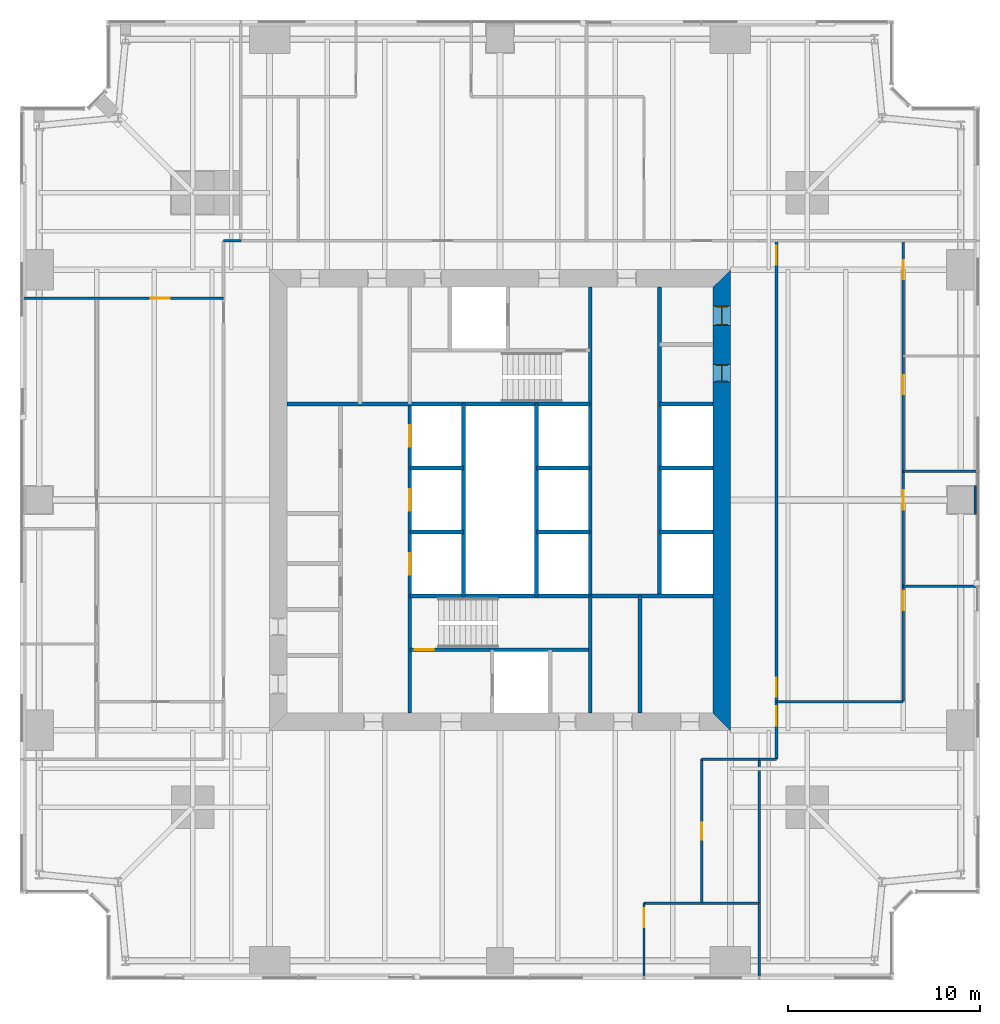
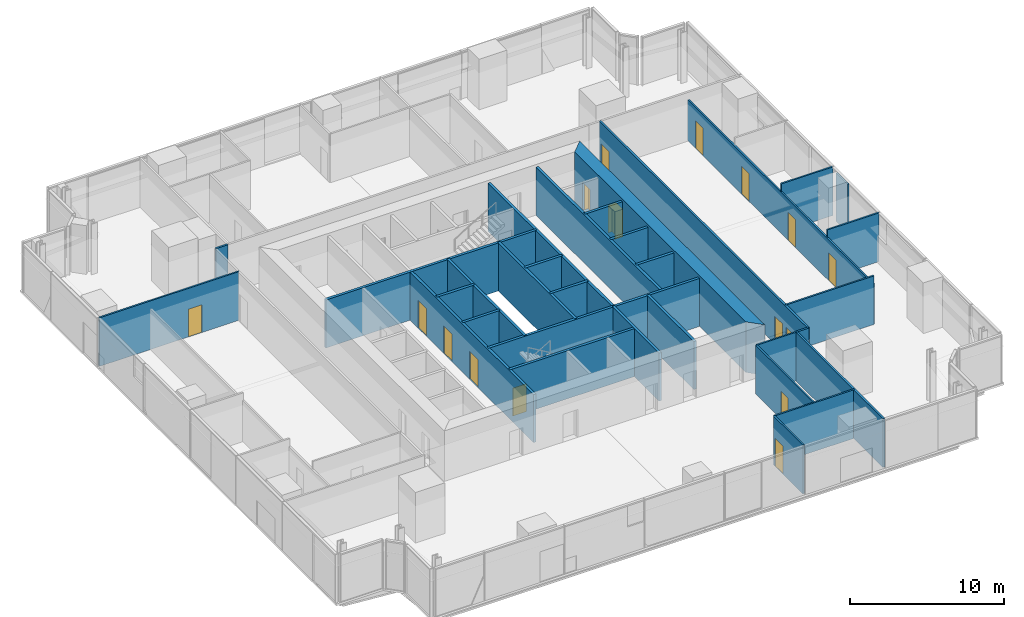
# One storey, part 10 of 14: 32 walls, 16 doors, 16 openings.
"""IFC4 building model written with IfcOpenShell, lengths in metres."""

from ifc_helpers import new_model, si_unit, direction, frame, frame_2d, origin, place, context, subcontext, project, spatial, polyline, rectangle, outline, extrude, material, layer, layer_set, type_object, element, fill, save


model = new_model("IFC4")

# Units and contexts
model_context = context("Model", 3, precision=1e-05, world=origin(), true_north=direction((0.0, 1.0)))
body_context = subcontext(model_context, "Body", "Model", "MODEL_VIEW")
ifc_project = project(units=[si_unit("LENGTHUNIT", "METRE"), si_unit("AREAUNIT", "SQUARE_METRE"), si_unit("VOLUMEUNIT", "CUBIC_METRE"), si_unit("PLANEANGLEUNIT", "RADIAN"), si_unit("MASSUNIT", "GRAM", prefix="KILO")], contexts=[model_context])

# Site, building, storey
site_placement = place(None, origin())
site = spatial("IfcSite", under=ifc_project, at=site_placement, CompositionType="ELEMENT")
building_placement = place(site_placement, origin())
building = spatial("IfcBuilding", under=site, at=building_placement, Name="Fenwick Lantern Interchange", CompositionType="ELEMENT")
storey_placement = place(building_placement, frame((0.0, 0.0, 122.39990234375)))
storey = spatial("IfcBuildingStorey", under=building, at=storey_placement, Name="L28", CompositionType="ELEMENT", Elevation=122.39990234375)

# Walls
ifc_material_1 = material(Name="Fire-rated gypsum board encasement on steel studs, 2 hour", Category="steel")
ifc_layer_1 = layer(ifc_material_1, 1.5)
ifc_layer_set_1 = layer_set([ifc_layer_1], Name="COLUMN PIER 1500")
wall_type_1 = type_object("IfcWallType", Name="COLUMN PIER 1500", PredefinedType="PARTITIONING", material=ifc_layer_set_1)
wall_1_placement = place(storey_placement, frame((49.800048828125, 25.0, 0.0), z_axis=(0.0, 0.0, 1.0), x_axis=(-1.0, 0.0, 0.0)))
element("IfcWall", 1, at=wall_1_placement, inside=storey, type_object=wall_type_1, Name="L28/W/PIER/CE3", PredefinedType="PARTITIONING", context=body_context, shape_type="SweptSolid", body=[
    extrude(rectangle(XDim=0.10009765625, YDim=1.5, at=frame_2d((0.050048828125, 0.0))), origin(), (0.0, 0.0, 1.0), 3.85009765625),
])
ifc_material_2 = material(Name="Concrete masonry ASTM C90 Grade N", Category="masonry")
ifc_layer_2 = layer(ifc_material_2, 0.199951171875)
ifc_layer_set_2 = layer_set([ifc_layer_2], Name="Concrete masonry ASTM C90 Grade N")
wall_type_2 = type_object("IfcWallType", Name="CORE PARTITION 200", PredefinedType="PARTITIONING", material=ifc_layer_set_2)
for number, where, z_axis, x_axis, name in (
    (2, (20.300048828125, 23.333251953125, 0.0), (0.0, 0.0, 1.0), (1.0, 0.0, 0.0), "L28/W/CORES/e1"),
    (3, (20.300048828125, 26.666748046875, 0.0), (0.0, 0.0, 1.0), (1.0, 0.0, 0.0), "L28/W/CORES/e2"),
):
    element("IfcWall", number, at=place(storey_placement, frame(where, z_axis=z_axis, x_axis=x_axis)), inside=storey, type_object=wall_type_2, Name=name, PredefinedType="PARTITIONING", context=body_context, shape_type="SweptSolid", body=[
        extrude(rectangle(XDim=2.800048828125, YDim=0.199951171875, at=frame_2d((1.39990234375, 0.0))), origin(), (0.0, 0.0, 1.0), 3.800048828125),
    ])
wall_2_placement = place(storey_placement, frame((23.10009765625, 20.0, 0.0), z_axis=(0.0, 0.0, 1.0), x_axis=(0.0, 1.0, 0.0)))
element("IfcWall", 4, at=wall_2_placement, inside=storey, type_object=wall_type_2, Name="L28/W/CORES/e3", PredefinedType="PARTITIONING", context=body_context, shape_type="SweptSolid", body=[
    extrude(rectangle(XDim=10.0, YDim=0.199951171875, at=frame_2d((5.0, 0.0))), origin(), (0.0, 0.0, 1.0), 3.800048828125),
])
wall_3_placement = place(storey_placement, frame((32.300048828125, 13.89990234375, 0.0), z_axis=(0.0, 0.0, 1.0), x_axis=(0.0, 1.0, 0.0)))
element("IfcWall", 5, at=wall_3_placement, inside=storey, type_object=wall_type_2, Name="L28/W/CORES/i2", PredefinedType="PARTITIONING", context=body_context, shape_type="SweptSolid", body=[
    extrude(rectangle(XDim=6.10009765625, YDim=0.199951171875, at=frame_2d((3.050048828125, 0.0))), origin(), (0.0, 0.0, 1.0), 3.800048828125),
])
wall_4_placement = place(storey_placement, frame((33.300048828125, 36.10009765625, 0.0), z_axis=(0.0, 0.0, 1.0), x_axis=(0.0, -1.0, 0.0)))
element("IfcWall", 6, at=wall_4_placement, inside=storey, type_object=wall_type_2, Name="L28/W/COREN/a", PredefinedType="PARTITIONING", context=body_context, shape_type="SweptSolid", body=[
    extrude(rectangle(XDim=16.10009765625, YDim=0.199951171875, at=frame_2d((8.050048828125, 0.0))), origin(), (0.0, 0.0, 1.0), 3.800048828125),
])
for number, where, z_axis, x_axis, name in (
    (7, (36.10009765625, 30.0, 0.0), (0.0, 0.0, 1.0), (-1.0, 0.0, 0.0), "L28/W/COREN/c2"),
    (8, (36.10009765625, 26.666748046875, 0.0), (0.0, 0.0, 1.0), (-1.0, 0.0, 0.0), "L28/W/COREN/d1"),
    (9, (36.10009765625, 23.333251953125, 0.0), (0.0, 0.0, 1.0), (-1.0, 0.0, 0.0), "L28/W/COREN/d2"),
    (10, (29.699951171875, 26.666748046875, 0.0), (0.0, 0.0, 1.0), (-1.0, 0.0, 0.0), "L28/W/COREN/e1"),
    (11, (29.699951171875, 23.333251953125, 0.0), (0.0, 0.0, 1.0), (-1.0, 0.0, 0.0), "L28/W/COREN/e2"),
):
    element("IfcWall", number, at=place(storey_placement, frame(where, z_axis=z_axis, x_axis=x_axis)), inside=storey, type_object=wall_type_2, Name=name, PredefinedType="PARTITIONING", context=body_context, shape_type="SweptSolid", body=[
        extrude(rectangle(XDim=2.800048828125, YDim=0.199951171875, at=frame_2d((1.39990234375, 0.0))), origin(), (0.0, 0.0, 1.0), 3.800048828125),
    ])
wall_5_placement = place(storey_placement, frame((26.89990234375, 30.0, 0.0), z_axis=(0.0, 0.0, 1.0), x_axis=(0.0, -1.0, 0.0)))
element("IfcWall", 12, at=wall_5_placement, inside=storey, type_object=wall_type_2, Name="L28/W/COREN/e3", PredefinedType="PARTITIONING", context=body_context, shape_type="SweptSolid", body=[
    extrude(rectangle(XDim=10.0, YDim=0.199951171875, at=frame_2d((5.0, 0.0))), origin(), (0.0, 0.0, 1.0), 3.800048828125),
])

# Wall, openings, doors
ifc_material_3 = material(Name="Concrete f'c 70 MPa", Category="concrete")
ifc_layer_3 = layer(ifc_material_3, 0.89990234375)
ifc_layer_set_3 = layer_set([ifc_layer_3], Name="CORE WALL 900")
wall_type_3 = type_object("IfcWallType", Name="CORE WALL 900", PredefinedType="SHEAR", material=ifc_layer_set_3)
wall_6_placement = place(storey_placement, frame((36.550048828125, 13.89990234375, 0.0), z_axis=(0.0, 0.0, 1.0), x_axis=(0.0, 1.0, 0.0)))
wall_6 = element("IfcWall", 13, at=wall_6_placement, inside=storey, type_object=wall_type_3, Name="L28/CORE/E", PredefinedType="SHEAR", context=body_context, shape_type="SweptSolid", body=[
    extrude(outline(polyline([(-0.89990234375, -0.449951171875), (23.10009765625, -0.449951171875), (22.199951171875, 0.449951171875), (0.0, 0.449951171875), (-0.89990234375, -0.449951171875)])), origin(), (0.0, 0.0, 1.0), 4.0),
])
opening_1_placement = place(wall_6_placement, frame((20.199951171875, 0.0, 0.0)))
opening_1 = element("IfcOpeningElement", 14, at=opening_1_placement, cuts=wall_6, Name="Opening L28-D018", PredefinedType="OPENING", context=body_context, shape_type="SweptSolid", body=[
    extrude(rectangle(XDim=1.0, YDim=2.199951171875, at=frame_2d((0.5, 1.10009765625))), frame((0.0, 0.4599609375, 0.0), z_axis=(0.0, -1.0, 0.0), x_axis=(1.0, 0.0, 0.0)), (0.0, 0.0, 1.0), 0.919921875),
])
opening_2_placement = place(wall_6_placement, frame((17.25, 0.0, 0.0)))
opening_2 = element("IfcOpeningElement", 15, at=opening_2_placement, cuts=wall_6, Name="Opening L28-D019", PredefinedType="OPENING", context=body_context, shape_type="SweptSolid", body=[
    extrude(rectangle(XDim=0.89990234375, YDim=2.199951171875, at=frame_2d((0.449951171875, 1.10009765625))), frame((0.0, 0.4599609375, 0.0), z_axis=(0.0, -1.0, 0.0), x_axis=(1.0, 0.0, 0.0)), (0.0, 0.0, 1.0), 0.919921875),
])
ifc_material_4 = material(Name="Steel door and frame", Category="steel")
door_type_1 = type_object("IfcDoorType", Name="SERVICE DOOR 900 X 2200", OperationType="SINGLE_SWING_LEFT", PredefinedType="DOOR", material=ifc_material_4)
door_1_placement = place(opening_2_placement, origin())
door_1 = element("IfcDoor", 16, at=door_1_placement, inside=storey, type_object=door_type_1, Name="Service door", OperationType="SINGLE_SWING_RIGHT", OverallHeight=2.199951171875, OverallWidth=0.89990234375, PredefinedType="DOOR", context=body_context, shape_type="SweptSolid", body=[
    extrude(rectangle(XDim=0.89990234375, YDim=2.199951171875, at=frame_2d((0.449951171875, 1.10009765625))), frame((0.0, 0.02490234375, 0.0), z_axis=(0.0, -1.0, 0.0), x_axis=(1.0, 0.0, 0.0)), (0.0, 0.0, 1.0), 0.050048828125),
    extrude(outline(polyline([(0.0, 0.0), (0.0400390625, 0.0), (0.0400390625, 2.159912109375), (0.85986328125, 2.159912109375), (0.85986328125, 0.0), (0.89990234375, 0.0), (0.89990234375, 2.199951171875), (0.0, 2.199951171875), (0.0, 0.0)])), frame((0.0, 0.300048828125, 0.0), z_axis=(0.0, -1.0, 0.0), x_axis=(1.0, 0.0, 0.0)), (0.0, 0.0, 1.0), 0.60009765625),
])
fill(opening_2, door_1)
ifc_material_5 = material(Name="Hardwood door and steel frame", Category="steel")
door_type_2 = type_object("IfcDoorType", Name="WC DOOR 1000 X 2200", OperationType="SINGLE_SWING_LEFT", PredefinedType="DOOR", material=ifc_material_5)
door_2_placement = place(opening_1_placement, origin())
door_2 = element("IfcDoor", 17, at=door_2_placement, inside=storey, type_object=door_type_2, Name="Wc door", OperationType="SINGLE_SWING_LEFT", OverallHeight=2.199951171875, OverallWidth=1.0, PredefinedType="DOOR", context=body_context, shape_type="SweptSolid", body=[
    extrude(rectangle(XDim=1.0, YDim=2.199951171875, at=frame_2d((0.5, 1.10009765625))), frame((0.0, 0.02490234375, 0.0), z_axis=(0.0, -1.0, 0.0), x_axis=(1.0, 0.0, 0.0)), (0.0, 0.0, 1.0), 0.050048828125),
    extrude(outline(polyline([(0.0, 0.0), (0.0400390625, 0.0), (0.0400390625, 2.159912109375), (0.9599609375, 2.159912109375), (0.9599609375, 0.0), (1.0, 0.0), (1.0, 2.199951171875), (0.0, 2.199951171875), (0.0, 0.0)])), frame((0.0, 0.300048828125, 0.0), z_axis=(0.0, -1.0, 0.0), x_axis=(1.0, 0.0, 0.0)), (0.0, 0.0, 1.0), 0.60009765625),
])
fill(opening_1, door_2)

# Wall
ifc_material_6 = material(Name="Gypsum board on steel studs, 1 hour", Category="steel")
ifc_layer_4 = layer(ifc_material_6, 0.14990234375)
ifc_layer_set_4 = layer_set([ifc_layer_4], Name="CORRIDOR WALL 150")
wall_type_4 = type_object("IfcWallType", Name="CORRIDOR WALL 150", PredefinedType="PARTITIONING", material=ifc_layer_set_4)
wall_7_placement = place(storey_placement, frame((38.5, 11.5, 0.0), z_axis=(0.0, 0.0, 1.0), x_axis=(1.0, 0.0, 0.0)))
element("IfcWall", 18, at=wall_7_placement, inside=storey, type_object=wall_type_4, Name="L28/W/OFF/E/CWJ", PredefinedType="PARTITIONING", context=body_context, shape_type="SweptSolid", body=[
    extrude(rectangle(XDim=0.89990234375, YDim=0.14990234375, at=frame_2d((0.449951171875, 0.0))), origin(), (0.0, 0.0, 1.0), 3.85009765625),
])

# Wall, openings, doors
wall_8_placement = place(storey_placement, frame((39.39990234375, 11.5, 0.0), z_axis=(0.0, 0.0, 1.0), x_axis=(0.0, 1.0, 0.0)))
wall_8 = element("IfcWall", 19, at=wall_8_placement, inside=storey, type_object=wall_type_4, Name="L28/W/OFF/E/CW2", PredefinedType="PARTITIONING", context=body_context, shape_type="SweptSolid", body=[
    extrude(rectangle(XDim=27.0, YDim=0.14990234375, at=frame_2d((13.5, 0.0))), origin(), (0.0, 0.0, 1.0), 3.85009765625),
])
opening_3_placement = place(wall_8_placement, frame((3.25, 0.0, 0.0)))
opening_3 = element("IfcOpeningElement", 20, at=opening_3_placement, cuts=wall_8, Name="Opening L28-D022", PredefinedType="OPENING", context=body_context, shape_type="SweptSolid", body=[
    extrude(rectangle(XDim=1.0, YDim=2.199951171875, at=frame_2d((0.5, 1.10009765625))), frame((0.0, 0.0849609375, 0.0), z_axis=(0.0, -1.0, 0.0), x_axis=(1.0, 0.0, 0.0)), (0.0, 0.0, 1.0), 0.169921875),
])
opening_4_placement = place(wall_8_placement, frame((25.75, 0.0, 0.0)))
opening_4 = element("IfcOpeningElement", 21, at=opening_4_placement, cuts=wall_8, Name="Opening L28-D023", PredefinedType="OPENING", context=body_context, shape_type="SweptSolid", body=[
    extrude(rectangle(XDim=1.0, YDim=2.199951171875, at=frame_2d((0.5, 1.10009765625))), frame((0.0, 0.0849609375, 0.0), z_axis=(0.0, -1.0, 0.0), x_axis=(1.0, 0.0, 0.0)), (0.0, 0.0, 1.0), 0.169921875),
])
opening_5_placement = place(wall_8_placement, frame((1.75, 0.0, 0.0)))
opening_5 = element("IfcOpeningElement", 22, at=opening_5_placement, cuts=wall_8, Name="Opening L28-D025", PredefinedType="OPENING", context=body_context, shape_type="SweptSolid", body=[
    extrude(rectangle(XDim=1.0, YDim=2.199951171875, at=frame_2d((0.5, 1.10009765625))), frame((0.0, 0.0849609375, 0.0), z_axis=(0.0, -1.0, 0.0), x_axis=(1.0, 0.0, 0.0)), (0.0, 0.0, 1.0), 0.169921875),
])
door_type_3 = type_object("IfcDoorType", Name="MEETING ROOM DOOR 1000 X 2200", OperationType="SINGLE_SWING_LEFT", PredefinedType="DOOR", material=ifc_material_5)
door_3_placement = place(opening_5_placement, origin())
door_3 = element("IfcDoor", 23, at=door_3_placement, inside=storey, type_object=door_type_3, Name="Meeting room door", OperationType="SINGLE_SWING_LEFT", OverallHeight=2.199951171875, OverallWidth=1.0, PredefinedType="DOOR", context=body_context, shape_type="SweptSolid", body=[
    extrude(rectangle(XDim=1.0, YDim=2.199951171875, at=frame_2d((0.5, 1.10009765625))), frame((0.0, 0.02490234375, 0.0), z_axis=(0.0, -1.0, 0.0), x_axis=(1.0, 0.0, 0.0)), (0.0, 0.0, 1.0), 0.050048828125),
])
fill(opening_5, door_3)
door_type_4 = type_object("IfcDoorType", Name="SUITE ENTRANCE DOOR 1000 X 2200", OperationType="SINGLE_SWING_LEFT", PredefinedType="DOOR", material=ifc_material_4)
door_4_placement = place(opening_3_placement, origin())
door_4 = element("IfcDoor", 24, at=door_4_placement, inside=storey, type_object=door_type_4, Name="Suite entrance door", OperationType="SINGLE_SWING_LEFT", OverallHeight=2.199951171875, OverallWidth=1.0, PredefinedType="DOOR", context=body_context, shape_type="SweptSolid", body=[
    extrude(rectangle(XDim=1.0, YDim=2.199951171875, at=frame_2d((0.5, 1.10009765625))), frame((0.0, 0.02490234375, 0.0), z_axis=(0.0, -1.0, 0.0), x_axis=(1.0, 0.0, 0.0)), (0.0, 0.0, 1.0), 0.050048828125),
])
fill(opening_3, door_4)
door_5_placement = place(opening_4_placement, origin())
door_5 = element("IfcDoor", 25, at=door_5_placement, inside=storey, type_object=door_type_4, Name="Suite entrance door", OperationType="SINGLE_SWING_RIGHT", OverallHeight=2.199951171875, OverallWidth=1.0, PredefinedType="DOOR", context=body_context, shape_type="SweptSolid", body=[
    extrude(rectangle(XDim=1.0, YDim=2.199951171875, at=frame_2d((0.5, 1.10009765625))), frame((0.0, 0.02490234375, 0.0), z_axis=(0.0, -1.0, 0.0), x_axis=(1.0, 0.0, 0.0)), (0.0, 0.0, 1.0), 0.050048828125),
])
fill(opening_4, door_5)

# Wall
wall_9_placement = place(storey_placement, frame((11.5, 38.5, 0.0), z_axis=(0.0, 0.0, 1.0), x_axis=(-1.0, 0.0, 0.0)))
element("IfcWall", 26, at=wall_9_placement, inside=storey, type_object=wall_type_4, Name="L28/W/OFF/W/CWJ", PredefinedType="PARTITIONING", context=body_context, shape_type="SweptSolid", body=[
    extrude(rectangle(XDim=0.89990234375, YDim=0.14990234375, at=frame_2d((0.449951171875, 0.0))), origin(), (0.0, 0.0, 1.0), 3.85009765625),
])

# Wall, opening, door
ifc_material_7 = material(Name="Gypsum board on steel studs, acoustic", Category="steel")
ifc_layer_5 = layer(ifc_material_7, 0.125)
ifc_layer_set_5 = layer_set([ifc_layer_5], Name="OFFICE PARTITION 125")
wall_type_5 = type_object("IfcWallType", Name="OFFICE PARTITION 125", PredefinedType="PARTITIONING", material=ifc_layer_set_5)
wall_10_placement = place(storey_placement, frame((32.5, 0.14990234375, 0.0), z_axis=(0.0, 0.0, 1.0), x_axis=(0.0, 1.0, 0.0)))
wall_10 = element("IfcWall", 27, at=wall_10_placement, inside=storey, type_object=wall_type_5, Name="L28/W/OFF/S/X325-1", PredefinedType="PARTITIONING", context=body_context, shape_type="SweptSolid", body=[
    extrude(rectangle(XDim=3.85009765625, YDim=0.125, at=frame_2d((1.925048828125, 0.0))), origin(), (0.0, 0.0, 1.0), 3.85009765625),
])
opening_6_placement = place(wall_10_placement, frame((2.60009765625, 0.0, 0.0)))
opening_6 = element("IfcOpeningElement", 28, at=opening_6_placement, cuts=wall_10, Name="Opening L28-D020", PredefinedType="OPENING", context=body_context, shape_type="SweptSolid", body=[
    extrude(rectangle(XDim=1.0, YDim=2.199951171875, at=frame_2d((0.5, 1.10009765625))), frame((0.0, 0.072509765625, 0.0), z_axis=(0.0, -1.0, 0.0), x_axis=(1.0, 0.0, 0.0)), (0.0, 0.0, 1.0), 0.14501953125),
])
door_6_placement = place(opening_6_placement, frame((1.0, 0.0, 0.0), z_axis=(0.0, 0.0, 1.0), x_axis=(-1.0, 0.0, 0.0)))
door_6 = element("IfcDoor", 29, at=door_6_placement, inside=storey, type_object=door_type_3, Name="Meeting room door", OperationType="SINGLE_SWING_LEFT", OverallHeight=2.199951171875, OverallWidth=1.0, PredefinedType="DOOR", context=body_context, shape_type="SweptSolid", body=[
    extrude(rectangle(XDim=1.0, YDim=2.199951171875, at=frame_2d((0.5, 1.10009765625))), frame((0.0, 0.02490234375, 0.0), z_axis=(0.0, -1.0, 0.0), x_axis=(1.0, 0.0, 0.0)), (0.0, 0.0, 1.0), 0.050048828125),
])
fill(opening_6, door_6)

wall_11_placement = place(storey_placement, frame((35.5, 4.0, 0.0), z_axis=(0.0, 0.0, 1.0), x_axis=(0.0, 1.0, 0.0)))
wall_11 = element("IfcWall", 30, at=wall_11_placement, inside=storey, type_object=wall_type_5, Name="L28/W/OFF/S/X355-1", PredefinedType="PARTITIONING", context=body_context, shape_type="SweptSolid", body=[
    extrude(rectangle(XDim=7.5, YDim=0.125, at=frame_2d((3.75, 0.0))), origin(), (0.0, 0.0, 1.0), 3.85009765625),
])
opening_7_placement = place(wall_11_placement, frame((3.300048828125, 0.0, 0.0)))
opening_7 = element("IfcOpeningElement", 31, at=opening_7_placement, cuts=wall_11, Name="Opening L28-D021", PredefinedType="OPENING", context=body_context, shape_type="SweptSolid", body=[
    extrude(rectangle(XDim=0.89990234375, YDim=2.199951171875, at=frame_2d((0.449951171875, 1.10009765625))), frame((0.0, 0.072509765625, 0.0), z_axis=(0.0, -1.0, 0.0), x_axis=(1.0, 0.0, 0.0)), (0.0, 0.0, 1.0), 0.14501953125),
])
door_type_5 = type_object("IfcDoorType", Name="OFFICE DOOR 900 X 2200", OperationType="SINGLE_SWING_LEFT", PredefinedType="DOOR", material=ifc_material_5)
door_7_placement = place(opening_7_placement, frame((0.89990234375, 0.0, 0.0), z_axis=(0.0, 0.0, 1.0), x_axis=(-1.0, 0.0, 0.0)))
door_7 = element("IfcDoor", 32, at=door_7_placement, inside=storey, type_object=door_type_5, Name="Office door", OperationType="SINGLE_SWING_RIGHT", OverallHeight=2.199951171875, OverallWidth=0.89990234375, PredefinedType="DOOR", context=body_context, shape_type="SweptSolid", body=[
    extrude(rectangle(XDim=0.89990234375, YDim=2.199951171875, at=frame_2d((0.449951171875, 1.10009765625))), frame((0.0, 0.02490234375, 0.0), z_axis=(0.0, -1.0, 0.0), x_axis=(1.0, 0.0, 0.0)), (0.0, 0.0, 1.0), 0.050048828125),
])
fill(opening_7, door_7)

# Walls
wall_12_placement = place(storey_placement, frame((32.5, 4.0, 0.0), z_axis=(0.0, 0.0, 1.0), x_axis=(1.0, 0.0, 0.0)))
element("IfcWall", 33, at=wall_12_placement, inside=storey, type_object=wall_type_5, Name="L28/W/OFF/S/Y40-1", PredefinedType="PARTITIONING", context=body_context, shape_type="SweptSolid", body=[
    extrude(rectangle(XDim=6.0, YDim=0.125, at=frame_2d((3.0, 0.0))), origin(), (0.0, 0.0, 1.0), 3.85009765625),
])
wall_13_placement = place(storey_placement, frame((35.5, 11.5, 0.0), z_axis=(0.0, 0.0, 1.0), x_axis=(1.0, 0.0, 0.0)))
element("IfcWall", 34, at=wall_13_placement, inside=storey, type_object=wall_type_5, Name="L28/W/OFF/S/CWS1", PredefinedType="PARTITIONING", context=body_context, shape_type="SweptSolid", body=[
    extrude(rectangle(XDim=3.0, YDim=0.125, at=frame_2d((1.5, 0.0))), origin(), (0.0, 0.0, 1.0), 3.85009765625),
])
wall_14_placement = place(storey_placement, frame((46.0, 14.5, 0.0), z_axis=(0.0, 0.0, 1.0), x_axis=(-1.0, 0.0, 0.0)))
element("IfcWall", 35, at=wall_14_placement, inside=storey, type_object=wall_type_5, Name="L28/W/OFF/E/X145-1", PredefinedType="PARTITIONING", context=body_context, shape_type="SweptSolid", body=[
    extrude(rectangle(XDim=6.60009765625, YDim=0.125, at=frame_2d((3.300048828125, 0.0))), origin(), (0.0, 0.0, 1.0), 3.85009765625),
])
for number, where, z_axis, x_axis, name in (
    (36, (49.85009765625, 20.5, 0.0), (0.0, 0.0, 1.0), (-1.0, 0.0, 0.0), "L28/W/OFF/E/X205-1"),
    (37, (49.85009765625, 26.5, 0.0), (0.0, 0.0, 1.0), (-1.0, 0.0, 0.0), "L28/W/OFF/E/X265-1"),
):
    element("IfcWall", number, at=place(storey_placement, frame(where, z_axis=z_axis, x_axis=x_axis)), inside=storey, type_object=wall_type_5, Name=name, PredefinedType="PARTITIONING", context=body_context, shape_type="SweptSolid", body=[
        extrude(rectangle(XDim=3.85009765625, YDim=0.125, at=frame_2d((1.925048828125, 0.0))), origin(), (0.0, 0.0, 1.0), 3.85009765625),
    ])

# Wall, openings, doors
wall_15_placement = place(storey_placement, frame((46.0, 14.5, 0.0), z_axis=(0.0, 0.0, 1.0), x_axis=(0.0, 1.0, 0.0)))
wall_15 = element("IfcWall", 38, at=wall_15_placement, inside=storey, type_object=wall_type_5, Name="L28/W/OFF/E/Y40-1", PredefinedType="PARTITIONING", context=body_context, shape_type="SweptSolid", body=[
    extrude(rectangle(XDim=24.0, YDim=0.125, at=frame_2d((12.0, 0.0))), origin(), (0.0, 0.0, 1.0), 3.238037109375),
])
opening_8_placement = place(wall_15_placement, frame((4.75, 0.0, 0.0)))
opening_8 = element("IfcOpeningElement", 39, at=opening_8_placement, cuts=wall_15, Name="Opening L28-D024", PredefinedType="OPENING", context=body_context, shape_type="SweptSolid", body=[
    extrude(rectangle(XDim=1.0, YDim=2.199951171875, at=frame_2d((0.5, 1.10009765625))), frame((0.0, 0.072509765625, 0.0), z_axis=(0.0, -1.0, 0.0), x_axis=(1.0, 0.0, 0.0)), (0.0, 0.0, 1.0), 0.14501953125),
])
opening_9_placement = place(wall_15_placement, frame((10.0, 0.0, 0.0)))
opening_9 = element("IfcOpeningElement", 40, at=opening_9_placement, cuts=wall_15, Name="Opening L28-D026", PredefinedType="OPENING", context=body_context, shape_type="SweptSolid", body=[
    extrude(rectangle(XDim=1.0, YDim=2.199951171875, at=frame_2d((0.5, 1.10009765625))), frame((0.0, 0.072509765625, 0.0), z_axis=(0.0, -1.0, 0.0), x_axis=(1.0, 0.0, 0.0)), (0.0, 0.0, 1.0), 0.14501953125),
])
opening_10_placement = place(wall_15_placement, frame((16.0, 0.0, 0.0)))
opening_10 = element("IfcOpeningElement", 41, at=opening_10_placement, cuts=wall_15, Name="Opening L28-D027", PredefinedType="OPENING", context=body_context, shape_type="SweptSolid", body=[
    extrude(rectangle(XDim=1.0, YDim=2.199951171875, at=frame_2d((0.5, 1.10009765625))), frame((0.0, 0.072509765625, 0.0), z_axis=(0.0, -1.0, 0.0), x_axis=(1.0, 0.0, 0.0)), (0.0, 0.0, 1.0), 0.14501953125),
])
opening_11_placement = place(wall_15_placement, frame((22.0, 0.0, 0.0)))
opening_11 = element("IfcOpeningElement", 42, at=opening_11_placement, cuts=wall_15, Name="Opening L28-D028", PredefinedType="OPENING", context=body_context, shape_type="SweptSolid", body=[
    extrude(rectangle(XDim=1.0, YDim=2.199951171875, at=frame_2d((0.5, 1.10009765625))), frame((0.0, 0.072509765625, 0.0), z_axis=(0.0, -1.0, 0.0), x_axis=(1.0, 0.0, 0.0)), (0.0, 0.0, 1.0), 0.14501953125),
])
door_8_placement = place(opening_8_placement, origin())
door_8 = element("IfcDoor", 43, at=door_8_placement, inside=storey, type_object=door_type_3, Name="Meeting room door", OperationType="SINGLE_SWING_LEFT", OverallHeight=2.199951171875, OverallWidth=1.0, PredefinedType="DOOR", context=body_context, shape_type="SweptSolid", body=[
    extrude(rectangle(XDim=1.0, YDim=2.199951171875, at=frame_2d((0.5, 1.10009765625))), frame((0.0, 0.02490234375, 0.0), z_axis=(0.0, -1.0, 0.0), x_axis=(1.0, 0.0, 0.0)), (0.0, 0.0, 1.0), 0.050048828125),
])
fill(opening_8, door_8)
door_9_placement = place(opening_9_placement, frame((1.0, 0.0, 0.0), z_axis=(0.0, 0.0, 1.0), x_axis=(-1.0, 0.0, 0.0)))
door_9 = element("IfcDoor", 44, at=door_9_placement, inside=storey, type_object=door_type_3, Name="Meeting room door", OperationType="SINGLE_SWING_LEFT", OverallHeight=2.199951171875, OverallWidth=1.0, PredefinedType="DOOR", context=body_context, shape_type="SweptSolid", body=[
    extrude(rectangle(XDim=1.0, YDim=2.199951171875, at=frame_2d((0.5, 1.10009765625))), frame((0.0, 0.02490234375, 0.0), z_axis=(0.0, -1.0, 0.0), x_axis=(1.0, 0.0, 0.0)), (0.0, 0.0, 1.0), 0.050048828125),
])
fill(opening_9, door_9)
door_10_placement = place(opening_10_placement, frame((1.0, 0.0, 0.0), z_axis=(0.0, 0.0, 1.0), x_axis=(-1.0, 0.0, 0.0)))
door_10 = element("IfcDoor", 45, at=door_10_placement, inside=storey, type_object=door_type_3, Name="Meeting room door", OperationType="SINGLE_SWING_LEFT", OverallHeight=2.199951171875, OverallWidth=1.0, PredefinedType="DOOR", context=body_context, shape_type="SweptSolid", body=[
    extrude(rectangle(XDim=1.0, YDim=2.199951171875, at=frame_2d((0.5, 1.10009765625))), frame((0.0, 0.02490234375, 0.0), z_axis=(0.0, -1.0, 0.0), x_axis=(1.0, 0.0, 0.0)), (0.0, 0.0, 1.0), 0.050048828125),
])
fill(opening_10, door_10)
door_11_placement = place(opening_11_placement, frame((1.0, 0.0, 0.0), z_axis=(0.0, 0.0, 1.0), x_axis=(-1.0, 0.0, 0.0)))
door_11 = element("IfcDoor", 46, at=door_11_placement, inside=storey, type_object=door_type_3, Name="Meeting room door", OperationType="SINGLE_SWING_LEFT", OverallHeight=2.199951171875, OverallWidth=1.0, PredefinedType="DOOR", context=body_context, shape_type="SweptSolid", body=[
    extrude(rectangle(XDim=1.0, YDim=2.199951171875, at=frame_2d((0.5, 1.10009765625))), frame((0.0, 0.02490234375, 0.0), z_axis=(0.0, -1.0, 0.0), x_axis=(1.0, 0.0, 0.0)), (0.0, 0.0, 1.0), 0.050048828125),
])
fill(opening_11, door_11)

# Wall, opening, door
wall_16_placement = place(storey_placement, frame((0.14990234375, 35.5, 0.0), z_axis=(0.0, 0.0, 1.0), x_axis=(1.0, 0.0, 0.0)))
wall_16 = element("IfcWall", 47, at=wall_16_placement, inside=storey, type_object=wall_type_5, Name="L28/W/OFF/W/X145-1", PredefinedType="PARTITIONING", context=body_context, shape_type="SweptSolid", body=[
    extrude(rectangle(XDim=10.4501953125, YDim=0.125, at=frame_2d((5.22509765625, 0.0))), origin(), (0.0, 0.0, 1.0), 3.85009765625),
])
opening_12_placement = place(wall_16_placement, frame((6.64990234375, 0.0, 0.0)))
opening_12 = element("IfcOpeningElement", 48, at=opening_12_placement, cuts=wall_16, Name="Opening L28-D037", PredefinedType="OPENING", context=body_context, shape_type="SweptSolid", body=[
    extrude(rectangle(XDim=1.0, YDim=2.199951171875, at=frame_2d((0.5, 1.10009765625))), frame((0.0, 0.072509765625, 0.0), z_axis=(0.0, -1.0, 0.0), x_axis=(1.0, 0.0, 0.0)), (0.0, 0.0, 1.0), 0.14501953125),
])
door_12_placement = place(opening_12_placement, origin())
door_12 = element("IfcDoor", 49, at=door_12_placement, inside=storey, type_object=door_type_3, Name="Meeting room door", OperationType="SINGLE_SWING_RIGHT", OverallHeight=2.199951171875, OverallWidth=1.0, PredefinedType="DOOR", context=body_context, shape_type="SweptSolid", body=[
    extrude(rectangle(XDim=1.0, YDim=2.199951171875, at=frame_2d((0.5, 1.10009765625))), frame((0.0, 0.02490234375, 0.0), z_axis=(0.0, -1.0, 0.0), x_axis=(1.0, 0.0, 0.0)), (0.0, 0.0, 1.0), 0.050048828125),
])
fill(opening_12, door_12)

# Wall, openings, doors
ifc_material_8 = material(Name="Concrete f'c 45 MPa", Category="concrete")
ifc_layer_6 = layer(ifc_material_8, 0.199951171875)
ifc_layer_set_6 = layer_set([ifc_layer_6], Name="STAIR CORE WALL 200")
wall_type_6 = type_object("IfcWallType", Name="STAIR CORE WALL 200", PredefinedType="SOLIDWALL", material=ifc_layer_set_6)
wall_17_placement = place(storey_placement, frame((20.300048828125, 13.89990234375, 0.0), z_axis=(0.0, 0.0, 1.0), x_axis=(0.0, 1.0, 0.0)))
wall_17 = element("IfcWall", 50, at=wall_17_placement, inside=storey, type_object=wall_type_6, Name="L28/W/CORES/b", PredefinedType="SOLIDWALL", context=body_context, shape_type="SweptSolid", body=[
    extrude(rectangle(XDim=16.10009765625, YDim=0.199951171875, at=frame_2d((8.050048828125, 0.0))), origin(), (0.0, 0.0, 1.0), 3.800048828125),
])
opening_13_placement = place(wall_17_placement, frame((7.216552734375, 0.0, 0.0)))
opening_13 = element("IfcOpeningElement", 51, at=opening_13_placement, cuts=wall_17, Name="Opening LD-W2-1", PredefinedType="OPENING", context=body_context, shape_type="SweptSolid", body=[
    extrude(rectangle(XDim=1.10009765625, YDim=2.199951171875, at=frame_2d((0.550048828125, 1.10009765625))), frame((0.0, 0.10986328125, 0.0), z_axis=(0.0, -1.0, 0.0), x_axis=(1.0, 0.0, 0.0)), (0.0, 0.0, 1.0), 0.219970703125),
])
opening_14_placement = place(wall_17_placement, frame((10.550048828125, 0.0, 0.0)))
opening_14 = element("IfcOpeningElement", 52, at=opening_14_placement, cuts=wall_17, Name="Opening LD-W2-2", PredefinedType="OPENING", context=body_context, shape_type="SweptSolid", body=[
    extrude(rectangle(XDim=1.10009765625, YDim=2.199951171875, at=frame_2d((0.550048828125, 1.10009765625))), frame((0.0, 0.10986328125, 0.0), z_axis=(0.0, -1.0, 0.0), x_axis=(1.0, 0.0, 0.0)), (0.0, 0.0, 1.0), 0.219970703125),
])
opening_15_placement = place(wall_17_placement, frame((13.88330078125, 0.0, 0.0)))
opening_15 = element("IfcOpeningElement", 53, at=opening_15_placement, cuts=wall_17, Name="Opening LD-W2-3", PredefinedType="OPENING", context=body_context, shape_type="SweptSolid", body=[
    extrude(rectangle(XDim=1.10009765625, YDim=2.199951171875, at=frame_2d((0.550048828125, 1.10009765625))), frame((0.0, 0.10986328125, 0.0), z_axis=(0.0, -1.0, 0.0), x_axis=(1.0, 0.0, 0.0)), (0.0, 0.0, 1.0), 0.219970703125),
])
door_type_6 = type_object("IfcDoorType", Name="LIFT LANDING DOOR 1100 X 2200", OperationType="DOUBLE_DOOR_SLIDING", PredefinedType="DOOR", material=ifc_material_4)
door_13_placement = place(opening_13_placement, origin())
door_13 = element("IfcDoor", 54, at=door_13_placement, inside=storey, type_object=door_type_6, Name="Lift landing door W2-1", OperationType="DOUBLE_DOOR_SLIDING", OverallHeight=2.199951171875, OverallWidth=1.10009765625, PredefinedType="DOOR", context=body_context, shape_type="SweptSolid", body=[
    extrude(rectangle(XDim=1.10009765625, YDim=2.199951171875, at=frame_2d((0.550048828125, 1.10009765625))), frame((0.0, 0.02490234375, 0.0), z_axis=(0.0, -1.0, 0.0), x_axis=(1.0, 0.0, 0.0)), (0.0, 0.0, 1.0), 0.050048828125),
])
fill(opening_13, door_13)
door_14_placement = place(opening_14_placement, origin())
door_14 = element("IfcDoor", 55, at=door_14_placement, inside=storey, type_object=door_type_6, Name="Lift landing door W2-2", OperationType="DOUBLE_DOOR_SLIDING", OverallHeight=2.199951171875, OverallWidth=1.10009765625, PredefinedType="DOOR", context=body_context, shape_type="SweptSolid", body=[
    extrude(rectangle(XDim=1.10009765625, YDim=2.199951171875, at=frame_2d((0.550048828125, 1.10009765625))), frame((0.0, 0.02490234375, 0.0), z_axis=(0.0, -1.0, 0.0), x_axis=(1.0, 0.0, 0.0)), (0.0, 0.0, 1.0), 0.050048828125),
])
fill(opening_14, door_14)
door_15_placement = place(opening_15_placement, origin())
door_15 = element("IfcDoor", 56, at=door_15_placement, inside=storey, type_object=door_type_6, Name="Lift landing door W2-3", OperationType="DOUBLE_DOOR_SLIDING", OverallHeight=2.199951171875, OverallWidth=1.10009765625, PredefinedType="DOOR", context=body_context, shape_type="SweptSolid", body=[
    extrude(rectangle(XDim=1.10009765625, YDim=2.199951171875, at=frame_2d((0.550048828125, 1.10009765625))), frame((0.0, 0.02490234375, 0.0), z_axis=(0.0, -1.0, 0.0), x_axis=(1.0, 0.0, 0.0)), (0.0, 0.0, 1.0), 0.050048828125),
])
fill(opening_15, door_15)

# Wall, opening, door
wall_18_placement = place(storey_placement, frame((20.300048828125, 17.199951171875, 0.0), z_axis=(0.0, 0.0, 1.0), x_axis=(1.0, 0.0, 0.0)))
wall_18 = element("IfcWall", 57, at=wall_18_placement, inside=storey, type_object=wall_type_6, Name="L28/W/CORES/g1", PredefinedType="SOLIDWALL", context=body_context, shape_type="SweptSolid", body=[
    extrude(rectangle(XDim=9.39990234375, YDim=0.199951171875, at=frame_2d((4.699951171875, 0.0))), origin(), (0.0, 0.0, 1.0), 3.800048828125),
])
opening_16_placement = place(wall_18_placement, frame((0.25, 0.0, 0.0)))
opening_16 = element("IfcOpeningElement", 58, at=opening_16_placement, cuts=wall_18, Name="Opening L28-D003", PredefinedType="OPENING", context=body_context, shape_type="SweptSolid", body=[
    extrude(rectangle(XDim=1.0, YDim=2.199951171875, at=frame_2d((0.5, 1.10009765625))), frame((0.0, 0.10986328125, 0.0), z_axis=(0.0, -1.0, 0.0), x_axis=(1.0, 0.0, 0.0)), (0.0, 0.0, 1.0), 0.219970703125),
])
door_type_7 = type_object("IfcDoorType", Name="STAIR DOOR 1000 X 2200", OperationType="SINGLE_SWING_LEFT", PredefinedType="DOOR", material=ifc_material_4)
door_16_placement = place(opening_16_placement, origin())
door_16 = element("IfcDoor", 59, at=door_16_placement, inside=storey, type_object=door_type_7, Name="Stair door", OperationType="SINGLE_SWING_LEFT", OverallHeight=2.199951171875, OverallWidth=1.0, PredefinedType="DOOR", context=body_context, shape_type="SweptSolid", body=[
    extrude(rectangle(XDim=1.0, YDim=2.199951171875, at=frame_2d((0.5, 1.10009765625))), frame((0.0, 0.02490234375, 0.0), z_axis=(0.0, -1.0, 0.0), x_axis=(1.0, 0.0, 0.0)), (0.0, 0.0, 1.0), 0.050048828125),
])
fill(opening_16, door_16)

# Walls
wall_19_placement = place(storey_placement, frame((20.300048828125, 20.0, 0.0), z_axis=(0.0, 0.0, 1.0), x_axis=(1.0, 0.0, 0.0)))
element("IfcWall", 60, at=wall_19_placement, inside=storey, type_object=wall_type_6, Name="L28/W/CORES/g2", PredefinedType="SOLIDWALL", context=body_context, shape_type="SweptSolid", body=[
    extrude(rectangle(XDim=15.800048828125, YDim=0.199951171875, at=frame_2d((7.89990234375, 0.0))), origin(), (0.0, 0.0, 1.0), 3.800048828125),
])
wall_20_placement = place(storey_placement, frame((29.699951171875, 13.89990234375, 0.0), z_axis=(0.0, 0.0, 1.0), x_axis=(0.0, 1.0, 0.0)))
element("IfcWall", 61, at=wall_20_placement, inside=storey, type_object=wall_type_6, Name="L28/W/CORES/i1", PredefinedType="SOLIDWALL", context=body_context, shape_type="SweptSolid", body=[
    extrude(rectangle(XDim=6.10009765625, YDim=0.199951171875, at=frame_2d((3.050048828125, 0.0))), origin(), (0.0, 0.0, 1.0), 3.800048828125),
])
wall_21_placement = place(storey_placement, frame((29.699951171875, 36.10009765625, 0.0), z_axis=(0.0, 0.0, 1.0), x_axis=(0.0, -1.0, 0.0)))
element("IfcWall", 62, at=wall_21_placement, inside=storey, type_object=wall_type_6, Name="L28/W/COREN/b", PredefinedType="SOLIDWALL", context=body_context, shape_type="SweptSolid", body=[
    extrude(rectangle(XDim=16.10009765625, YDim=0.199951171875, at=frame_2d((8.050048828125, 0.0))), origin(), (0.0, 0.0, 1.0), 3.800048828125),
])
wall_22_placement = place(storey_placement, frame((29.699951171875, 30.0, 0.0), z_axis=(0.0, 0.0, 1.0), x_axis=(-1.0, 0.0, 0.0)))
element("IfcWall", 63, at=wall_22_placement, inside=storey, type_object=wall_type_6, Name="L28/W/COREN/g2", PredefinedType="SOLIDWALL", context=body_context, shape_type="SweptSolid", body=[
    extrude(rectangle(XDim=15.800048828125, YDim=0.199951171875, at=frame_2d((7.89990234375, 0.0))), origin(), (0.0, 0.0, 1.0), 3.800048828125),
])
ifc_material_9 = material(Name="Gypsum board on steel studs, 1 hour acoustic", Category="steel")
ifc_layer_7 = layer(ifc_material_9, 0.14990234375)
ifc_layer_set_7 = layer_set([ifc_layer_7], Name="TENANT WALL 150")
wall_type_7 = type_object("IfcWallType", Name="TENANT WALL 150", PredefinedType="PARTITIONING", material=ifc_layer_set_7)
wall_23_placement = place(storey_placement, frame((38.5, 0.14990234375, 0.0), z_axis=(0.0, 0.0, 1.0), x_axis=(0.0, 1.0, 0.0)))
element("IfcWall", 64, at=wall_23_placement, inside=storey, type_object=wall_type_7, Name="L28/W/OFF/E/BACK", PredefinedType="PARTITIONING", context=body_context, shape_type="SweptSolid", body=[
    extrude(rectangle(XDim=11.35009765625, YDim=0.14990234375, at=frame_2d((5.675048828125, 0.0))), origin(), (0.0, 0.0, 1.0), 3.85009765625),
])

save(model, "model.ifc")
